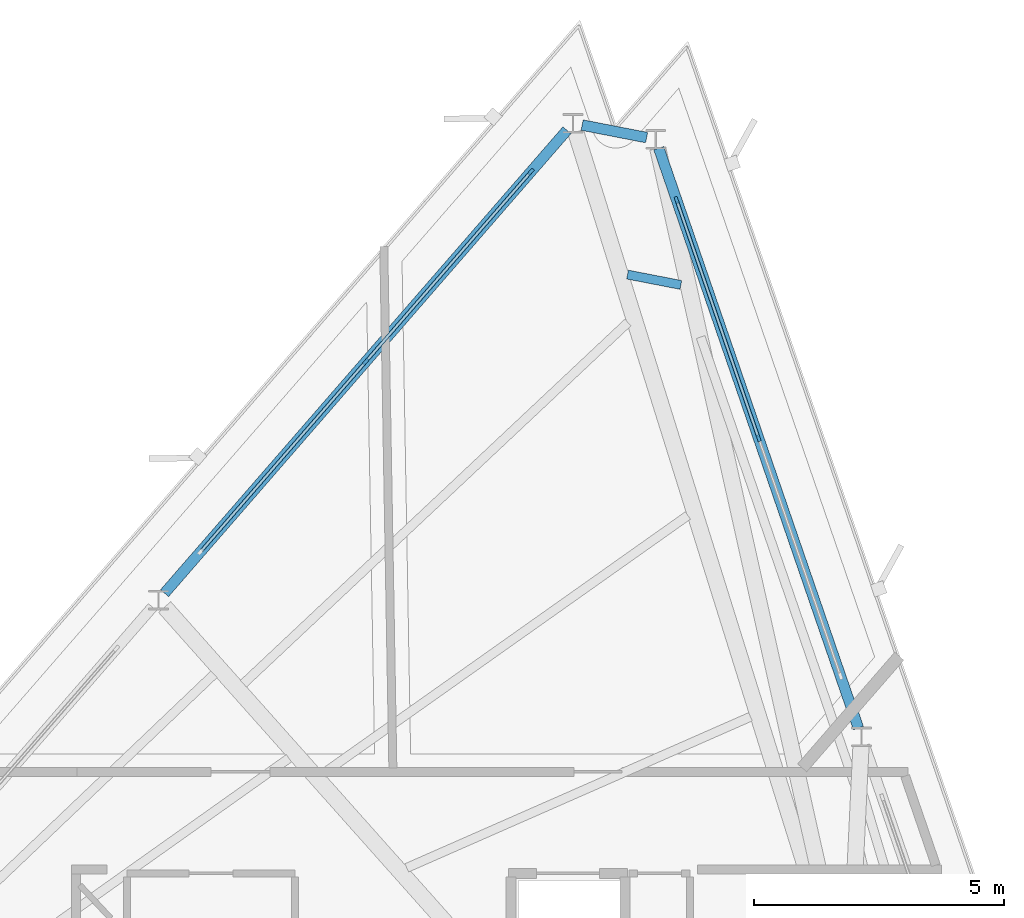
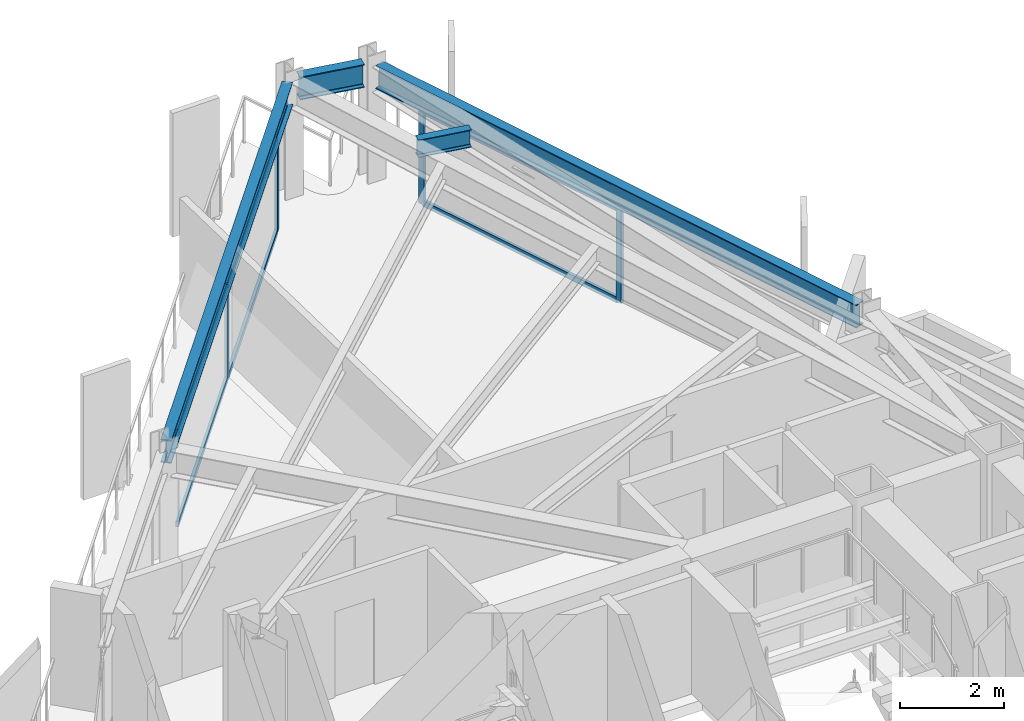
# One storey, part 7 of 13: 10 members, 4 beams, 2 elements without a shape of their own.
"""IFC4 building model written with IfcOpenShell, lengths in metres."""

from ifc_helpers import new_model, si_unit, direction, frame, origin, origin_2d, place, context, subcontext, project, spatial, rectangle, i_section, extrude, material, layer, layer_set, material_profile, profile_set, type_object, element, aggregate, save


model = new_model("IFC4")

# Units and contexts
model_context = context("Model", 3, precision=1e-05, world=origin(), true_north=direction((0.0, 1.0)))
body_context = subcontext(model_context, "Body", "Model", "MODEL_VIEW")
ifc_project = project(units=[si_unit("LENGTHUNIT", "METRE"), si_unit("AREAUNIT", "SQUARE_METRE"), si_unit("VOLUMEUNIT", "CUBIC_METRE"), si_unit("PLANEANGLEUNIT", "RADIAN"), si_unit("MASSUNIT", "GRAM", prefix="KILO")], contexts=[model_context])

# Site, building, storey
site_placement = place(None, origin())
site = spatial("IfcSite", under=ifc_project, at=site_placement, CompositionType="ELEMENT")
building_placement = place(site_placement, origin())
building = spatial("IfcBuilding", under=site, at=building_placement, Name="Rocaltana Carrier Exchange", CompositionType="ELEMENT")
storey_placement = place(building_placement, frame((0.0, 0.0, 159.360107421875)))
storey = spatial("IfcBuildingStorey", under=building, at=storey_placement, Name="L50", CompositionType="ELEMENT", Elevation=159.360107421875)

# Curtain wall, members
ifc_material_1 = material(Name="Aluminium 6063-T6", Category="aluminium")
ifc_layer = layer(ifc_material_1, 0.135009765625)
ifc_layer_set = layer_set([ifc_layer], Name="Aluminium 6063-T6")
curtain_wall_type = type_object("IfcCurtainWallType", Name="Upper-Mid Acoustic Curtain Wall CW-04", PredefinedType="NOTDEFINED", material=ifc_layer_set)
curtain_wall_1_placement = place(storey_placement, origin())
curtain_wall_1 = element("IfcCurtainWall", 1, at=curtain_wall_1_placement, inside=storey, type_object=curtain_wall_type, Name="L50 CW-04 Run CW-L50-F1S3", PredefinedType="NOTDEFINED")
ifc_material_2 = material(Name="Aluminium 6063-T6", Category="aluminium")
ifc_material_profile_1 = material_profile(ifc_material_2, rectangle(XDim=0.06494140625, YDim=0.135009765625, at=origin_2d()), Name="AL-65X135")
ifc_profile_set_1 = profile_set([ifc_material_profile_1], Name="Aluminium 6063-T6")
member_type_1 = type_object("IfcMemberType", Name="CW-04 Mullion AL-65X135", PredefinedType="MULLION", material=ifc_profile_set_1)
member_1_placement = place(storey_placement, frame((7.151611328125, 15.82373046875, 0.0), z_axis=(0.0, 0.0, 1.0), x_axis=(-0.945521800517, -0.325558788464, 0.0)))
member_1 = element("IfcMember", 2, at=member_1_placement, type_object=member_type_1, Name="CW-04 mullion 2", PredefinedType="MULLION", context=body_context, shape_type="SweptSolid", body=[
    extrude(rectangle(XDim=0.06494140625, YDim=0.135009765625, at=origin_2d()), origin(), (0.0, 0.0, 1.0), 2.2177734375),
])
member_2_placement = place(storey_placement, frame((5.5126953125, 20.583740234375, 0.0), z_axis=(0.0, 0.0, 1.0), x_axis=(-0.945521800517, -0.325558788464, 0.0)))
member_2 = element("IfcMember", 3, at=member_2_placement, type_object=member_type_1, Name="CW-04 mullion 3", PredefinedType="MULLION", context=body_context, shape_type="SweptSolid", body=[
    extrude(rectangle(XDim=0.06494140625, YDim=0.135009765625, at=origin_2d()), origin(), (0.0, 0.0, 1.0), 2.2177734375),
])

curtain_wall_2_placement = place(storey_placement, origin())
curtain_wall_2 = element("IfcCurtainWall", 4, at=curtain_wall_2_placement, inside=storey, type_object=curtain_wall_type, Name="L50 CW-04 Run CW-L50-F2S1", PredefinedType="NOTDEFINED")
member_3_placement = place(storey_placement, frame((2.599609375, 21.14990234375, 0.0), z_axis=(0.0, 0.0, 1.0), x_axis=(0.75471173919, -0.656056545375, 0.0)))
member_3 = element("IfcMember", 5, at=member_3_placement, type_object=member_type_1, Name="CW-04 mullion 1", PredefinedType="MULLION", context=body_context, shape_type="SweptSolid", body=[
    extrude(rectangle(XDim=0.06494140625, YDim=0.135009765625, at=origin_2d()), origin(), (0.0, 0.0, 1.0), 2.2177734375),
])
member_4_placement = place(storey_placement, frame((-0.703125, 17.3505859375, 0.0), z_axis=(0.0, 0.0, 1.0), x_axis=(0.75471173919, -0.656056545375, 0.0)))
member_4 = element("IfcMember", 6, at=member_4_placement, type_object=member_type_1, Name="CW-04 mullion 2", PredefinedType="MULLION", context=body_context, shape_type="SweptSolid", body=[
    extrude(rectangle(XDim=0.06494140625, YDim=0.135009765625, at=origin_2d()), origin(), (0.0, 0.0, 1.0), 2.2177734375),
])

# Member
ifc_material_3 = material(Name="Aluminium 6063-T6", Category="aluminium")
ifc_material_profile_2 = material_profile(ifc_material_3, rectangle(XDim=0.06494140625, YDim=0.135009765625, at=origin_2d()), Name="AL-65X135")
ifc_profile_set_2 = profile_set([ifc_material_profile_2], Name="Aluminium 6063-T6")
member_type_2 = type_object("IfcMemberType", Name="CW-04 Transom AL-65X135", PredefinedType="USERDEFINED", material=ifc_profile_set_2)
member_5_placement = place(storey_placement, frame((7.140869140625, 15.8544921875, 0.032470703125), z_axis=(-0.325542462737, 0.945527421578, 0.0), x_axis=(-0.945527421578, -0.325542462737, 0.0)))
member_5 = element("IfcMember", 7, at=member_5_placement, type_object=member_type_2, Name="CW-04 transom 2.1", ObjectType="TRANSOM", PredefinedType="USERDEFINED", context=body_context, shape_type="SweptSolid", body=[
    extrude(rectangle(XDim=0.06494140625, YDim=0.135009765625, at=origin_2d()), origin(), (0.0, 0.0, 1.0), 4.96923828125),
])

member_6_placement = place(storey_placement, frame((7.140869140625, 15.8544921875, 2.185302734375), z_axis=(-0.325542462737, 0.945527421578, 0.0), x_axis=(-0.945527421578, -0.325542462737, 0.0)))
member_6 = element("IfcMember", 8, at=member_6_placement, type_object=member_type_2, Name="CW-04 transom 2.2", ObjectType="TRANSOM", PredefinedType="USERDEFINED", context=body_context, shape_type="SweptSolid", body=[
    extrude(rectangle(XDim=0.06494140625, YDim=0.135009765625, at=origin_2d()), origin(), (0.0, 0.0, 1.0), 4.96923828125),
])

aggregate(curtain_wall_1, [member_1, member_2, member_5, member_6])

member_7_placement = place(storey_placement, frame((2.578369140625, 21.125244140625, 0.032470703125), z_axis=(-0.656083834105, -0.75468801675, 0.0), x_axis=(0.75468801675, -0.656083834105, 0.0)))
member_7 = element("IfcMember", 9, at=member_7_placement, type_object=member_type_2, Name="CW-04 transom 1.1", ObjectType="TRANSOM", PredefinedType="USERDEFINED", context=body_context, shape_type="SweptSolid", body=[
    extrude(rectangle(XDim=0.06494140625, YDim=0.135009765625, at=origin_2d()), origin(), (0.0, 0.0, 1.0), 4.96923828125),
])

member_8_placement = place(storey_placement, frame((2.578369140625, 21.125244140625, 2.185302734375), z_axis=(-0.656083834105, -0.75468801675, 0.0), x_axis=(0.75468801675, -0.656083834105, 0.0)))
member_8 = element("IfcMember", 10, at=member_8_placement, type_object=member_type_2, Name="CW-04 transom 1.2", ObjectType="TRANSOM", PredefinedType="USERDEFINED", context=body_context, shape_type="SweptSolid", body=[
    extrude(rectangle(XDim=0.06494140625, YDim=0.135009765625, at=origin_2d()), origin(), (0.0, 0.0, 1.0), 4.96923828125),
])

member_9_placement = place(storey_placement, frame((-0.724365234375, 17.325927734375, 0.032470703125), z_axis=(-0.656055850486, -0.754712343243, 0.0), x_axis=(0.754712343243, -0.656055850486, 0.0)))
member_9 = element("IfcMember", 11, at=member_9_placement, type_object=member_type_2, Name="CW-04 transom 2.1", ObjectType="TRANSOM", PredefinedType="USERDEFINED", context=body_context, shape_type="SweptSolid", body=[
    extrude(rectangle(XDim=0.06494140625, YDim=0.135009765625, at=origin_2d()), origin(), (0.0, 0.0, 1.0), 4.968994140625),
])

member_10_placement = place(storey_placement, frame((-0.724365234375, 17.325927734375, 2.185302734375), z_axis=(-0.656055850486, -0.754712343243, 0.0), x_axis=(0.754712343243, -0.656055850486, 0.0)))
member_10 = element("IfcMember", 12, at=member_10_placement, type_object=member_type_2, Name="CW-04 transom 2.2", ObjectType="TRANSOM", PredefinedType="USERDEFINED", context=body_context, shape_type="SweptSolid", body=[
    extrude(rectangle(XDim=0.06494140625, YDim=0.135009765625, at=origin_2d()), origin(), (0.0, 0.0, 1.0), 4.968994140625),
])

aggregate(curtain_wall_2, [member_3, member_4, member_7, member_8, member_9, member_10])

# Beams
ifc_material_4 = material(Name="Steel S355", Category="steel")
ifc_material_profile_3 = material_profile(ifc_material_4, i_section(OverallWidth=0.179931640625, OverallDepth=0.4130859375, WebThickness=0.009765625, FlangeThickness=0.01611328125, FilletRadius=0.012939453125, at=origin_2d()), Name="W16X50")
ifc_profile_set_3 = profile_set([ifc_material_profile_3], Name="Steel S355")
beam_type_1 = type_object("IfcBeamType", Name="Floor Joist W16X50", PredefinedType="JOIST", material=ifc_profile_set_3)
beam_1_placement = place(storey_placement, frame((5.59716796875, 18.8857421875, 2.581298828125), z_axis=(-0.981629422322, 0.190797477004, 0.0), x_axis=(-0.190797477004, -0.981629422322, 0.0)))
element("IfcBeam", 13, at=beam_1_placement, inside=storey, type_object=beam_type_1, Name="FJ-L50-04-3", PredefinedType="JOIST", context=body_context, shape_type="SweptSolid", body=[
    extrude(i_section(OverallWidth=0.179931640625, OverallDepth=0.4130859375, WebThickness=0.009765625, FlangeThickness=0.01611328125, FilletRadius=0.012939453125, at=origin_2d()), origin(), (0.0, 0.0, 1.0), 1.08642578125),
])
ifc_material_5 = material(Name="Steel S355", Category="steel")
ifc_material_profile_4 = material_profile(ifc_material_5, i_section(OverallWidth=0.2119140625, OverallDepth=0.5439453125, WebThickness=0.01318359375, FlangeThickness=0.021240234375, FilletRadius=0.014892578125, at=origin_2d()), Name="W21X83")
ifc_profile_set_4 = profile_set([ifc_material_profile_4], Name="Steel S355")
beam_type_2 = type_object("IfcBeamType", Name="Spandrel Edge Beam W21X83", PredefinedType="SPANDREL", material=ifc_profile_set_4)
beam_2_placement = place(storey_placement, frame((9.147705078125, 10.026611328125, 2.515869140625), z_axis=(-0.325566047792, 0.94551930098, 0.0), x_axis=(-0.94551930098, -0.325566047792, 0.0)))
element("IfcBeam", 14, at=beam_2_placement, inside=storey, type_object=beam_type_2, Name="SP-L50-03", PredefinedType="SPANDREL", context=body_context, shape_type="SweptSolid", body=[
    extrude(i_section(OverallWidth=0.2119140625, OverallDepth=0.5439453125, WebThickness=0.01318359375, FlangeThickness=0.021240234375, FilletRadius=0.014892578125, at=origin_2d()), origin(), (0.0, 0.0, 1.0), 12.26220703125),
])
beam_3_placement = place(storey_placement, frame((4.912841796875, 21.831787109375, 2.515869140625), z_axis=(-0.981624091926, 0.190824899188, 0.0), x_axis=(-0.190824899188, -0.981624091926, 0.0)))
element("IfcBeam", 15, at=beam_3_placement, inside=storey, type_object=beam_type_2, Name="SP-L50-04", PredefinedType="SPANDREL", context=body_context, shape_type="SweptSolid", body=[
    extrude(i_section(OverallWidth=0.2119140625, OverallDepth=0.5439453125, WebThickness=0.01318359375, FlangeThickness=0.021240234375, FilletRadius=0.014892578125, at=origin_2d()), origin(), (0.0, 0.0, 1.0), 1.31396484375),
])
beam_4_placement = place(storey_placement, frame((3.3193359375, 21.977783203125, 2.515869140625), z_axis=(-0.65606829307, -0.754701526982, 0.0), x_axis=(0.754701526982, -0.65606829307, 0.0)))
element("IfcBeam", 16, at=beam_4_placement, inside=storey, type_object=beam_type_2, Name="SP-L50-05", PredefinedType="SPANDREL", context=body_context, shape_type="SweptSolid", body=[
    extrude(i_section(OverallWidth=0.2119140625, OverallDepth=0.5439453125, WebThickness=0.01318359375, FlangeThickness=0.021240234375, FilletRadius=0.014892578125, at=origin_2d()), origin(), (0.0, 0.0, 1.0), 12.26220703125),
])

save(model, "model.ifc")
